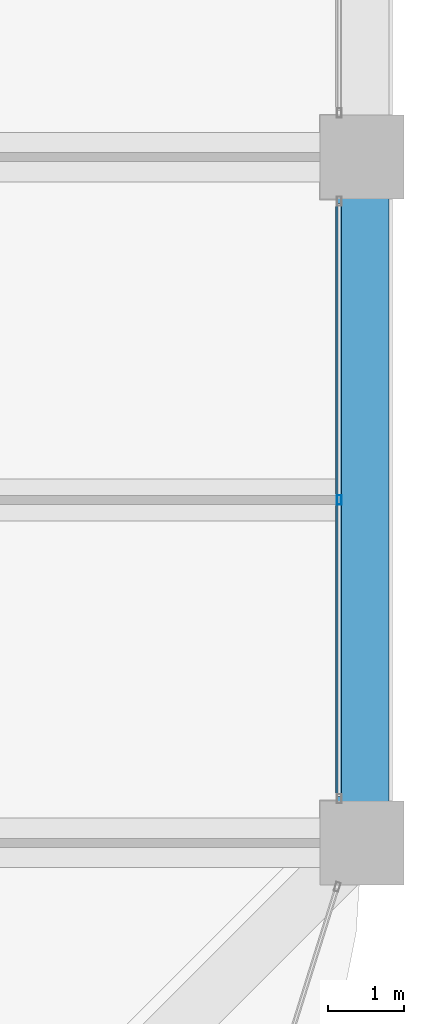
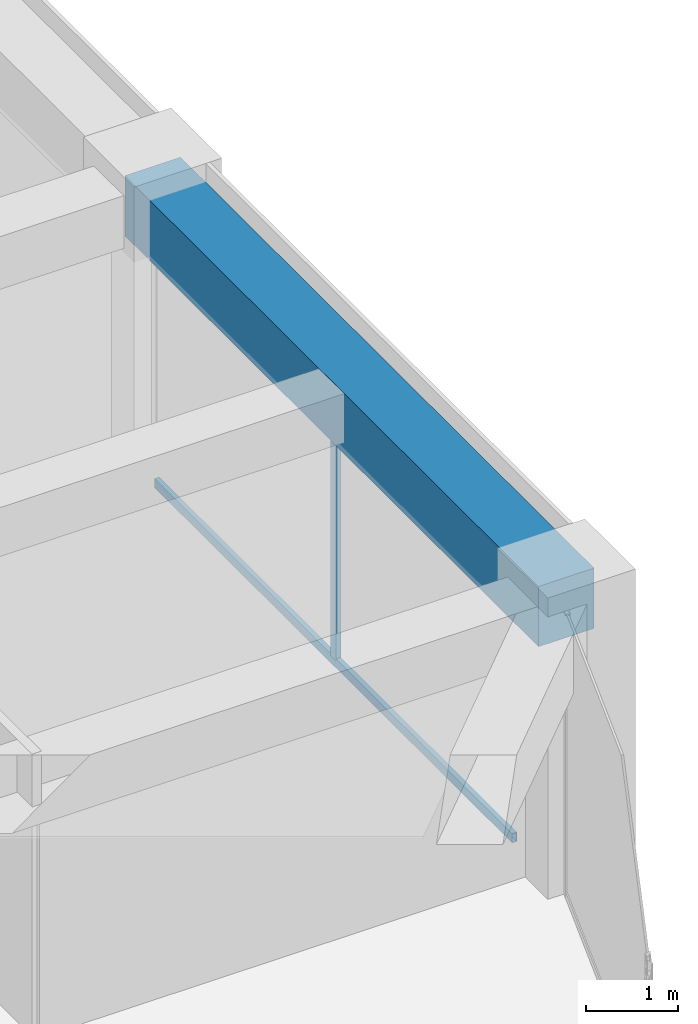
# One storey, part 23 of 44: 2 members, 1 beam, 1 element without a shape of its own.
"""IFC4 building model written with IfcOpenShell, lengths in metres."""

from ifc_helpers import new_model, si_unit, direction, frame, origin, origin_2d, place, context, subcontext, project, spatial, rectangle, hollow_rectangle, extrude, material, material_profile, profile_set, type_object, element, aggregate, save


model = new_model("IFC4")

# Units and contexts
model_context = context("Model", 3, precision=1e-05, world=origin(), true_north=direction((0.0, 1.0)))
body_context = subcontext(model_context, "Body", "Model", "MODEL_VIEW")
ifc_project = project(units=[si_unit("LENGTHUNIT", "METRE"), si_unit("AREAUNIT", "SQUARE_METRE"), si_unit("VOLUMEUNIT", "CUBIC_METRE"), si_unit("PLANEANGLEUNIT", "RADIAN"), si_unit("MASSUNIT", "GRAM", prefix="KILO")], contexts=[model_context])

# Site, building, storey
site_placement = place(None, origin())
site = spatial("IfcSite", under=ifc_project, at=site_placement, CompositionType="ELEMENT")
building_placement = place(site_placement, origin())
building = spatial("IfcBuilding", under=site, at=building_placement, Name="Zorevar Civic Tower", CompositionType="ELEMENT")
storey_placement = place(building_placement, frame((0.0, 0.0, 263.39990234375)))
storey = spatial("IfcBuildingStorey", under=building, at=storey_placement, Name="L64", CompositionType="ELEMENT", Elevation=263.39990234375)

# Curtain wall, members
ifc_material_1 = material(Name="Dark grey solar-control glass in black aluminium frame", Category="aluminium")
curtain_wall_type = type_object("IfcCurtainWallType", Name="Curtain wall CW5 top zone", PredefinedType="NOTDEFINED", material=ifc_material_1)
curtain_wall_placement = place(storey_placement, origin())
curtain_wall = element("IfcCurtainWall", 1, at=curtain_wall_placement, inside=storey, type_object=curtain_wall_type, Name="CW5 L64", PredefinedType="NOTDEFINED")
ifc_material_2 = material(Name="Aluminium, black anodised", Category="aluminium")
ifc_material_profile_1 = material_profile(ifc_material_2, hollow_rectangle(XDim=0.06005859375, YDim=0.1201171875, WallThickness=0.0029296875, at=origin_2d()), Name="AL 120x60x3")
ifc_profile_set_1 = profile_set([ifc_material_profile_1], Name="Aluminium, black anodised")
member_type_1 = type_object("IfcMemberType", Name="CW5 mullion AL 120x60x3", PredefinedType="MULLION", material=ifc_profile_set_1)
member_1_placement = place(storey_placement, frame((53.699951171875, 13.5, 0.06005859375), z_axis=(0.0, 0.0, 1.0), x_axis=(-1.0, 0.0, 0.0)))
member_1 = element("IfcMember", 2, at=member_1_placement, type_object=member_type_1, Name="CW5 mullion 2", PredefinedType="MULLION", context=body_context, shape_type="SweptSolid", body=[
    extrude(hollow_rectangle(XDim=0.06005859375, YDim=0.1201171875, WallThickness=0.0029296875, at=origin_2d()), origin(), (0.0, 0.0, 1.0), 2.89013671875),
])
ifc_material_3 = material(Name="Aluminium, black anodised", Category="aluminium")
ifc_material_profile_2 = material_profile(ifc_material_3, hollow_rectangle(XDim=0.06005859375, YDim=0.1201171875, WallThickness=0.0029296875, at=origin_2d()), Name="AL 120x60x3")
ifc_profile_set_2 = profile_set([ifc_material_profile_2], Name="Aluminium, black anodised")
member_type_2 = type_object("IfcMemberType", Name="CW5 transom AL 120x60x3", PredefinedType="USERDEFINED", material=ifc_profile_set_2)
member_2_placement = place(storey_placement, frame((53.699951171875, 9.610107421875, 0.030029296875), z_axis=(0.0, 1.0, 0.0), x_axis=(-1.0, 0.0, 0.0)))
member_2 = element("IfcMember", 3, at=member_2_placement, type_object=member_type_2, Name="CW5 sill transom", ObjectType="TRANSOM", PredefinedType="USERDEFINED", context=body_context, shape_type="SweptSolid", body=[
    extrude(hollow_rectangle(XDim=0.06005859375, YDim=0.1201171875, WallThickness=0.0029296875, at=origin_2d()), origin(), (0.0, 0.0, 1.0), 7.77978515625),
])
aggregate(curtain_wall, [member_1, member_2])

# Beam
ifc_material_4 = material(Name="Concrete C50/60", Category="concrete")
ifc_material_profile_3 = material_profile(ifc_material_4, rectangle(XDim=0.699951171875, YDim=0.800048828125, at=origin_2d()), Name="RC 700x800")
ifc_profile_set_3 = profile_set([ifc_material_profile_3], Name="Concrete C50/60")
beam_type = type_object("IfcBeamType", Name="Edge beam RC 700x800", PredefinedType="SPANDREL", material=ifc_profile_set_3)
beam_placement = place(storey_placement, frame((54.0, 9.0, 3.35009765625), z_axis=(0.0, 1.0, 0.0), x_axis=(-1.0, 0.0, 0.0)))
element("IfcBeam", 4, at=beam_placement, inside=storey, type_object=beam_type, Name="Edge beam L65", PredefinedType="SPANDREL", context=body_context, shape_type="SweptSolid", body=[
    extrude(rectangle(XDim=0.699951171875, YDim=0.800048828125, at=origin_2d()), origin(), (0.0, 0.0, 1.0), 9.0),
])

save(model, "model.ifc")
